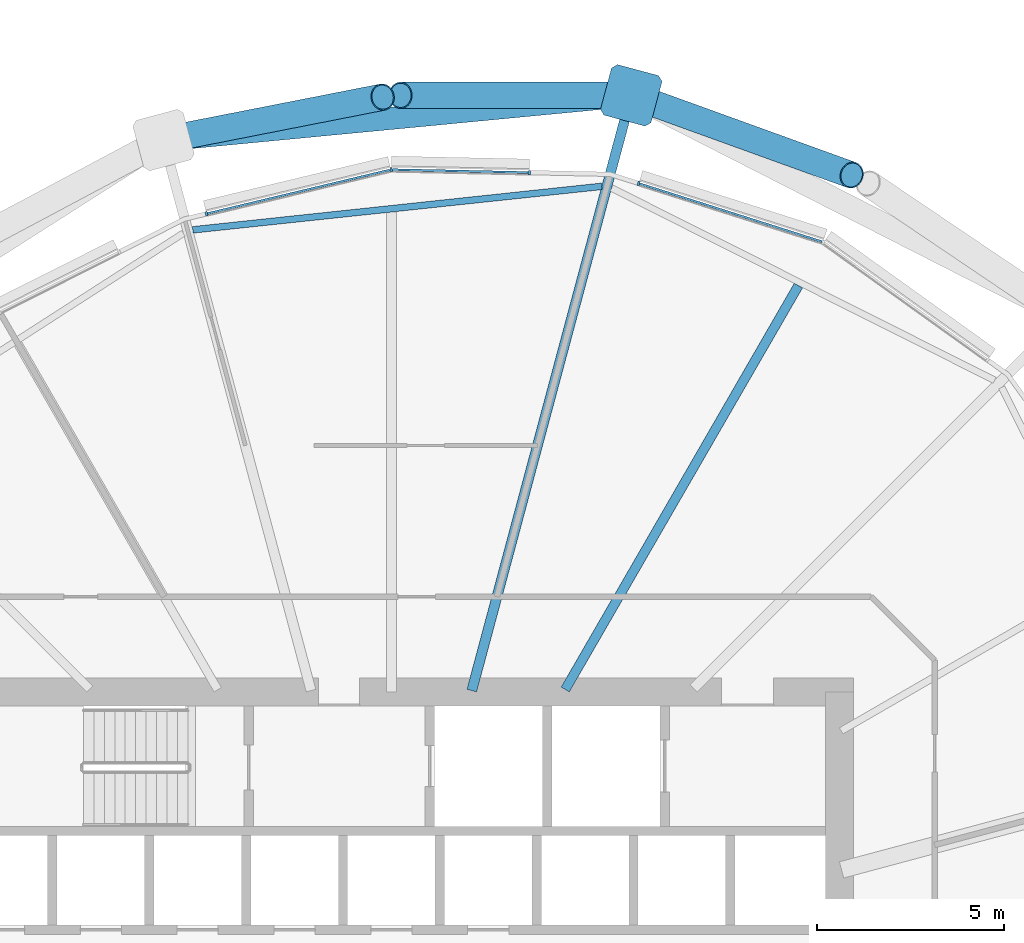
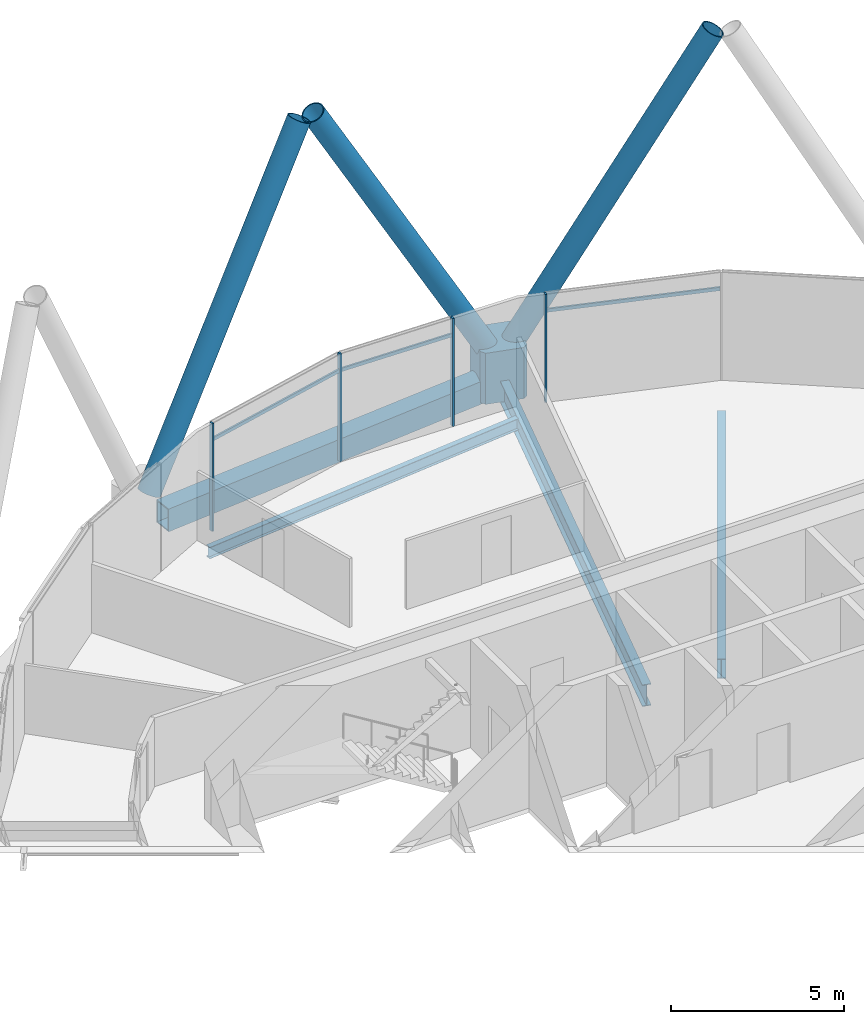
# One storey, part 20 of 38: 11 members, 4 beams, 1 element without a shape of its own.
"""IFC4 building model written with IfcOpenShell, lengths in metres."""

from ifc_helpers import new_model, si_unit, direction, frame, origin, origin_2d, place, context, subcontext, project, spatial, polyline, rectangle, hollow_rectangle, hollow_circle, i_section, outline, extrude, material, material_profile, profile_set, type_object, element, aggregate, save


model = new_model("IFC4")

# Units and contexts
model_context = context("Model", 3, precision=1e-05, world=origin(), true_north=direction((0.0, 1.0)))
body_context = subcontext(model_context, "Body", "Model", "MODEL_VIEW")
ifc_project = project(units=[si_unit("LENGTHUNIT", "METRE"), si_unit("AREAUNIT", "SQUARE_METRE"), si_unit("VOLUMEUNIT", "CUBIC_METRE"), si_unit("PLANEANGLEUNIT", "RADIAN"), si_unit("MASSUNIT", "GRAM", prefix="KILO")], contexts=[model_context])

# Site, building, storey
site_placement = place(None, origin())
site = spatial("IfcSite", under=ifc_project, at=site_placement, CompositionType="ELEMENT")
building_placement = place(site_placement, origin())
building = spatial("IfcBuilding", under=site, at=building_placement, Name="Rimbun Link Towers", CompositionType="ELEMENT")
storey_placement = place(building_placement, frame((0.0, 0.0, 104.39990234375)))
storey = spatial("IfcBuildingStorey", under=building, at=storey_placement, Name="L25", CompositionType="ELEMENT", Elevation=104.39990234375)

# Curtain wall, members
ifc_material_1 = material(Name="Aluminium 6063-T6 and low-iron glass", Category="aluminium")
curtain_wall_type = type_object("IfcCurtainWallType", Name="CW1-Z2 unitised vision wall (zone 2)", PredefinedType="NOTDEFINED", material=ifc_material_1)
curtain_wall_placement = place(storey_placement, origin())
curtain_wall = element("IfcCurtainWall", 1, at=curtain_wall_placement, inside=storey, type_object=curtain_wall_type, Name="CW1 L25 T2", PredefinedType="NOTDEFINED")
ifc_material_2 = material(Name="Aluminium 6063-T6", Category="aluminium")
ifc_material_profile_1 = material_profile(ifc_material_2, rectangle(XDim=0.1201171875, YDim=0.06005859375, at=origin_2d()), Name="MULLION 60X120")
ifc_profile_set_1 = profile_set([ifc_material_profile_1], Name="Aluminium 6063-T6")
member_type_1 = type_object("IfcMemberType", Name="CW1 mullion 60X120", PredefinedType="MULLION", material=ifc_profile_set_1)
member_1_placement = place(storey_placement, frame((38.37353515625, 21.621337890625, 0.0), z_axis=(0.0, 0.0, 1.0), x_axis=(0.303057366512, 0.952972314709, 0.0)))
member_1 = element("IfcMember", 2, at=member_1_placement, type_object=member_type_1, Name="CW1 mullion", PredefinedType="MULLION", context=body_context, shape_type="SweptSolid", body=[
    extrude(rectangle(XDim=0.1201171875, YDim=0.06005859375, at=origin_2d()), origin(), (0.0, 0.0, 1.0), 3.800048828125),
])
member_2_placement = place(storey_placement, frame((31.74365234375, 21.9892578125, 0.0), z_axis=(0.0, 0.0, 1.0), x_axis=(-0.106632106355, 0.994298543645, 0.0)))
member_2 = element("IfcMember", 3, at=member_2_placement, type_object=member_type_1, Name="CW1 mullion", PredefinedType="MULLION", context=body_context, shape_type="SweptSolid", body=[
    extrude(rectangle(XDim=0.1201171875, YDim=0.06005859375, at=origin_2d()), origin(), (0.0, 0.0, 1.0), 3.800048828125),
])
member_3_placement = place(storey_placement, frame((35.44482421875, 21.911865234375, 0.0), z_axis=(0.0, 0.0, 1.0), x_axis=(0.021063270517, 0.999778144708, 0.0)))
member_3 = element("IfcMember", 4, at=member_3_placement, type_object=member_type_1, Name="CW1 mullion", PredefinedType="MULLION", context=body_context, shape_type="SweptSolid", body=[
    extrude(rectangle(XDim=0.1201171875, YDim=0.06005859375, at=origin_2d()), origin(), (0.0, 0.0, 1.0), 3.800048828125),
])
member_4_placement = place(storey_placement, frame((26.79736328125, 20.806884765625, 0.0), z_axis=(0.0, 0.0, 1.0), x_axis=(-0.232585526726, 0.972575947038, 0.0)))
member_4 = element("IfcMember", 5, at=member_4_placement, type_object=member_type_1, Name="CW1 mullion", PredefinedType="MULLION", context=body_context, shape_type="SweptSolid", body=[
    extrude(rectangle(XDim=0.1201171875, YDim=0.06005859375, at=origin_2d()), origin(), (0.0, 0.0, 1.0), 3.800048828125),
])
ifc_material_3 = material(Name="Aluminium 6063-T6", Category="aluminium")
ifc_material_profile_2 = material_profile(ifc_material_3, rectangle(XDim=0.06005859375, YDim=0.1201171875, at=origin_2d()), Name="TRANSOM 60X120")
ifc_profile_set_2 = profile_set([ifc_material_profile_2], Name="Aluminium 6063-T6")
member_type_2 = type_object("IfcMemberType", Name="CW1 transom 60X120", PredefinedType="USERDEFINED", material=ifc_profile_set_2)
member_5_placement = place(storey_placement, frame((38.401611328125, 21.6103515625, 3.2001953125), z_axis=(0.952968340457, -0.303069863377, 0.0), x_axis=(0.303069863377, 0.952968340457, 0.0)))
member_5 = element("IfcMember", 6, at=member_5_placement, type_object=member_type_2, Name="CW1 transom", ObjectType="TRANSOM", PredefinedType="USERDEFINED", context=body_context, shape_type="SweptSolid", body=[
    extrude(rectangle(XDim=0.06005859375, YDim=0.1201171875, at=origin_2d()), origin(), (0.0, 0.0, 1.0), 5.121826171875),
])
member_6_placement = place(storey_placement, frame((31.78125, 21.987060546875, 3.2001953125), z_axis=(0.999777513645, -0.021093202935, 0.0), x_axis=(0.021093202935, 0.999777513645, 0.0)))
member_6 = element("IfcMember", 7, at=member_6_placement, type_object=member_type_2, Name="CW1 transom", ObjectType="TRANSOM", PredefinedType="USERDEFINED", context=body_context, shape_type="SweptSolid", body=[
    extrude(rectangle(XDim=0.06005859375, YDim=0.1201171875, at=origin_2d()), origin(), (0.0, 0.0, 1.0), 3.63427734375),
])
member_7_placement = place(storey_placement, frame((26.8271484375, 20.81201171875, 3.2001953125), z_axis=(0.972578652399, 0.232574213741, 0.0), x_axis=(-0.232574213741, 0.972578652399, 0.0)))
member_7 = element("IfcMember", 8, at=member_7_placement, type_object=member_type_2, Name="CW1 transom", ObjectType="TRANSOM", PredefinedType="USERDEFINED", context=body_context, shape_type="SweptSolid", body=[
    extrude(rectangle(XDim=0.06005859375, YDim=0.1201171875, at=origin_2d()), origin(), (0.0, 0.0, 1.0), 5.017822265625),
])
aggregate(curtain_wall, [member_1, member_2, member_3, member_4, member_5, member_6, member_7])

# Members
ifc_material_4 = material(Name="Steel S460NH", Category="steel")
ifc_material_profile_3 = material_profile(ifc_material_4, hollow_circle(Radius=0.355712890625, WallThickness=0.031982421875, at=origin_2d()), Name="Diagrid diagonal CHS 711x32")
ifc_profile_set_3 = profile_set([ifc_material_profile_3], Name="Steel S460NH")
member_type_3 = type_object("IfcMemberType", Name="Diagrid diagonal CHS 711x32", PredefinedType="BRACE", material=ifc_profile_set_3)
member_8_placement = place(storey_placement, frame((38.408935546875, 23.8955078125, 0.43408203125), z_axis=(0.467264618541, -0.16895796156, 0.867823129148), x_axis=(0.340042385054, 0.940410110732, 0.0)))
element("IfcMember", 9, at=member_8_placement, inside=storey, type_object=member_type_3, Name="Diagrid diagonal T2 L25-L28 02a", PredefinedType="BRACE", context=body_context, shape_type="SweptSolid", body=[
    extrude(hollow_circle(Radius=0.355712890625, WallThickness=0.031982421875, at=origin_2d()), origin(), (0.0, 0.0, 1.0), 12.136474609375),
])
member_9_placement = place(storey_placement, frame((37.929931640625, 23.97998046875, 0.435791015625), z_axis=(-0.491007209953, 2.0200239e-05, 0.871155508142), x_axis=(-4.1140412e-05, -0.999999999154, 0.0)))
element("IfcMember", 10, at=member_9_placement, inside=storey, type_object=member_type_3, Name="Diagrid diagonal T2 L25-L28 02b", PredefinedType="BRACE", context=body_context, shape_type="SweptSolid", body=[
    extrude(hollow_circle(Radius=0.355712890625, WallThickness=0.031982421875, at=origin_2d()), origin(), (0.0, 0.0, 1.0), 12.0859375),
])
member_10_placement = place(storey_placement, frame((25.880615234375, 22.828369140625, 0.43896484375), z_axis=(0.470037941025, 0.092243774803, 0.87781286161), x_axis=(-0.192574227905, 0.981282409272, 0.0)))
element("IfcMember", 11, at=member_10_placement, inside=storey, type_object=member_type_3, Name="Diagrid diagonal T2 L25-L28 04a", PredefinedType="BRACE", context=body_context, shape_type="SweptSolid", body=[
    extrude(hollow_circle(Radius=0.355712890625, WallThickness=0.031982421875, at=origin_2d()), origin(), (0.0, 0.0, 1.0), 11.98681640625),
])
ifc_material_5 = material(Name="Cast steel G20Mn5+QT, Rp0.2 300 MPa", Category="steel")
ifc_material_profile_4 = material_profile(ifc_material_5, outline(polyline([(0.699951171875, -0.570068359375), (0.699951171875, 0.570068359375), (0.570068359375, 0.699951171875), (-0.570068359375, 0.699951171875), (-0.699951171875, 0.570068359375), (-0.699951171875, -0.570068359375), (-0.570068359375, -0.699951171875), (0.570068359375, -0.699951171875), (0.699951171875, -0.570068359375)])), Name="NODE 1400x1400")
ifc_profile_set_4 = profile_set([ifc_material_profile_4], Name="Cast steel G20Mn5+QT, Rp0.2 300 MPa")
member_type_4 = type_object("IfcMemberType", Name="Diagrid node cast 1400", PredefinedType="USERDEFINED", material=ifc_profile_set_4)
member_11_placement = place(storey_placement, frame((38.17529296875, 23.97998046875, -0.89990234375), z_axis=(0.0, 0.0, 1.0), x_axis=(0.258819045103, 0.965925826289, 0.0)))
element("IfcMember", 12, at=member_11_placement, inside=storey, type_object=member_type_4, Name="Diagrid node L25 02", ObjectType="Diagrid node", PredefinedType="USERDEFINED", context=body_context, shape_type="SweptSolid", body=[
    extrude(outline(polyline([(0.699951171875, -0.570068359375), (0.699951171875, 0.570068359375), (0.570068359375, 0.699951171875), (-0.570068359375, 0.699951171875), (-0.699951171875, 0.570068359375), (-0.699951171875, -0.570068359375), (-0.570068359375, -0.699951171875), (0.570068359375, -0.699951171875), (0.699951171875, -0.570068359375)])), origin(), (0.0, 0.0, 1.0), 1.800048828125),
])

# Beams
ifc_material_6 = material(Name="Steel S355J2", Category="steel")
ifc_material_profile_5 = material_profile(ifc_material_6, hollow_rectangle(XDim=0.60009765625, YDim=0.800048828125, WallThickness=0.0400390625, at=origin_2d()), Name="Exoskeleton ring girder BOX 600x800x40")
ifc_profile_set_5 = profile_set([ifc_material_profile_5], Name="Steel S355J2")
beam_type_1 = type_object("IfcBeamType", Name="Exoskeleton ring girder BOX 600x800x40", PredefinedType="BEAM", material=ifc_profile_set_5)
beam_1_placement = place(storey_placement, frame((37.478515625, 23.913330078125, -0.559814453125), z_axis=(-0.995462850083, -0.095151006848, 0.0), x_axis=(0.095151006848, -0.995462850083, 0.0)))
element("IfcBeam", 13, at=beam_1_placement, inside=storey, type_object=beam_type_1, Name="Exoskeleton ring girder L25 01", PredefinedType="BEAM", context=body_context, shape_type="SweptSolid", body=[
    extrude(hollow_rectangle(XDim=0.60009765625, YDim=0.800048828125, WallThickness=0.0400390625, at=origin_2d()), origin(), (0.0, 0.0, 1.0), 11.18701171875),
])
ifc_material_7 = material(Name="Steel S355J2", Category="steel")
ifc_material_profile_6 = material_profile(ifc_material_7, i_section(OverallWidth=0.177978515625, OverallDepth=0.406494140625, WebThickness=0.0078125, FlangeThickness=0.0126953125, at=origin_2d()), Name="UB 406x178x60")
ifc_profile_set_6 = profile_set([ifc_material_profile_6], Name="Steel S355J2")
beam_type_2 = type_object("IfcBeamType", Name="UB 406x178x60", PredefinedType="BEAM", material=ifc_profile_set_6)
beam_2_placement = place(storey_placement, frame((37.38330078125, 21.54248046875, -0.363037109375), z_axis=(-0.994384696167, -0.105825686997, 0.0), x_axis=(0.105825686997, -0.994384696167, 0.0)))
element("IfcBeam", 14, at=beam_2_placement, inside=storey, type_object=beam_type_2, Name="Edge beam T2 L25 02-04", PredefinedType="BEAM", context=body_context, shape_type="SweptSolid", body=[
    extrude(i_section(OverallWidth=0.177978515625, OverallDepth=0.406494140625, WebThickness=0.0078125, FlangeThickness=0.0126953125, at=origin_2d()), origin(), (0.0, 0.0, 1.0), 11.015869140625),
])
ifc_material_8 = material(Name="Steel S355J2", Category="steel")
ifc_material_profile_7 = material_profile(ifc_material_8, i_section(OverallWidth=0.253662109375, OverallDepth=0.68359375, WebThickness=0.012451171875, FlangeThickness=0.01904296875, at=origin_2d()), Name="UB 686x254x140")
ifc_profile_set_7 = profile_set([ifc_material_profile_7], Name="Steel S355J2")
beam_type_3 = type_object("IfcBeamType", Name="UB 686x254x140", PredefinedType="BEAM", material=ifc_profile_set_7)
beam_3_placement = place(storey_placement, frame((36.406005859375, 8.064208984375, -0.501708984375), z_axis=(0.499991403274, 0.86603036705, 0.0), x_axis=(-0.86603036705, 0.499991403274, 0.0)))
element("IfcBeam", 15, at=beam_3_placement, inside=storey, type_object=beam_type_3, Name="Radial beam T2 L25 01", PredefinedType="BEAM", context=body_context, shape_type="SweptSolid", body=[
    extrude(i_section(OverallWidth=0.253662109375, OverallDepth=0.68359375, WebThickness=0.012451171875, FlangeThickness=0.01904296875, at=origin_2d()), origin(), (0.0, 0.0, 1.0), 12.493896484375),
])
ifc_material_9 = material(Name="Steel S355J2", Category="steel")
ifc_material_profile_8 = material_profile(ifc_material_9, i_section(OverallWidth=0.2666015625, OverallDepth=0.76220703125, WebThickness=0.014404296875, FlangeThickness=0.021484375, at=origin_2d()), Name="UB 762x267x173")
ifc_profile_set_8 = profile_set([ifc_material_profile_8], Name="Steel S355J2")
beam_type_4 = type_object("IfcBeamType", Name="UB 762x267x173", PredefinedType="BEAM", material=ifc_profile_set_8)
beam_4_placement = place(storey_placement, frame((33.903076171875, 8.035400390625, -0.541015625), z_axis=(0.25881588084, 0.965926674145, 0.0), x_axis=(-0.965926674145, 0.25881588084, 0.0)))
element("IfcBeam", 16, at=beam_4_placement, inside=storey, type_object=beam_type_4, Name="Radial beam T2 L25 02", PredefinedType="BEAM", context=body_context, shape_type="SweptSolid", body=[
    extrude(i_section(OverallWidth=0.2666015625, OverallDepth=0.76220703125, WebThickness=0.014404296875, FlangeThickness=0.021484375, at=origin_2d()), origin(), (0.0, 0.0, 1.0), 16.0068359375),
])

save(model, "model.ifc")
